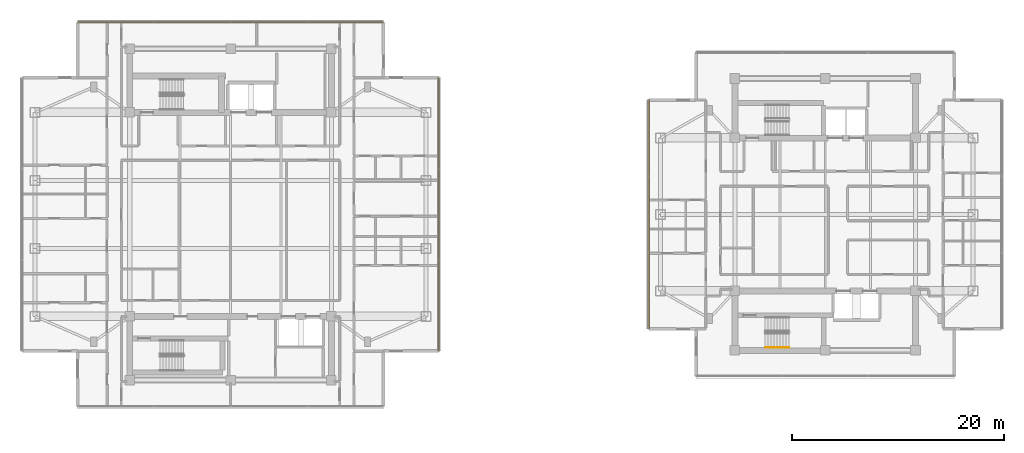
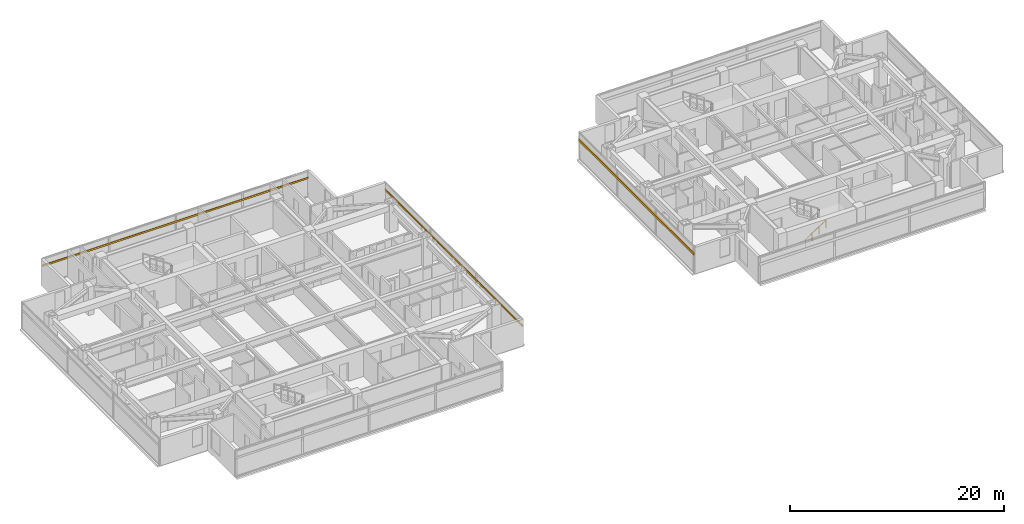
# One storey, part 22 of 24: 3 shading devices, 1 railing.
"""IFC4 building model written with IfcOpenShell, lengths in metres."""

from ifc_helpers import new_model, si_unit, direction, frame, origin, origin_2d, place, context, subcontext, project, spatial, rectangle, circle, extrude, material, material_profile, profile_set, type_object, element, save


model = new_model("IFC4")

# Units and contexts
model_context = context("Model", 3, precision=1e-05, world=origin(), true_north=direction((0.0, 1.0)))
body_context = subcontext(model_context, "Body", "Model", "MODEL_VIEW")
ifc_project = project(units=[si_unit("LENGTHUNIT", "METRE"), si_unit("AREAUNIT", "SQUARE_METRE"), si_unit("VOLUMEUNIT", "CUBIC_METRE"), si_unit("PLANEANGLEUNIT", "RADIAN"), si_unit("MASSUNIT", "GRAM", prefix="KILO")], contexts=[model_context])

# Site, building, storey
site_placement = place(None, origin())
site = spatial("IfcSite", under=ifc_project, at=site_placement, CompositionType="ELEMENT")
building_placement = place(site_placement, origin())
building = spatial("IfcBuilding", under=site, at=building_placement, Name="Mirazonda Arch Towers", CompositionType="ELEMENT")
storey_placement = place(building_placement, frame((0.0, 0.0, 186.89990234375)))
storey = spatial("IfcBuildingStorey", under=building, at=storey_placement, Name="L53", CompositionType="ELEMENT", Elevation=186.89990234375)

# Shading devices
ifc_material_1 = material(Name="Kiln-Fired Architectural Terracotta", Category="masonry")
ifc_material_profile_1 = material_profile(ifc_material_1, rectangle(XDim=0.10009765625, YDim=0.199951171875, at=origin_2d()), Name="TERRA-BAG-100x200")
ifc_profile_set_1 = profile_set([ifc_material_profile_1], Name="Kiln-Fired Architectural Terracotta")
shading_device_type_1 = type_object("IfcShadingDeviceType", Name="BAGUETTE-2", PredefinedType="USERDEFINED", material=ifc_profile_set_1)
shading_device_1_placement = place(storey_placement, frame((40.110107421875, 15.126953125, 2.181640625), z_axis=(0.0, 1.0, 0.0), x_axis=(-1.0, 0.0, 0.0)))
element("IfcShadingDevice", 1, at=shading_device_1_placement, inside=storey, type_object=shading_device_type_1, Name="L53 Glazed Terracotta Sun-Screen Baguette CW-L53-T1-E", ObjectType="BAGUETTE", PredefinedType="USERDEFINED", context=body_context, shape_type="SweptSolid", body=[
    extrude(rectangle(XDim=0.10009765625, YDim=0.199951171875, at=origin_2d()), origin(), (0.0, 0.0, 1.0), 25.74609375),
])
shading_device_2_placement = place(storey_placement, frame((6.10498046875, 46.087890625, 2.181640625), z_axis=(1.0, 0.0, 0.0), x_axis=(0.0, 1.0, 0.0)))
element("IfcShadingDevice", 2, at=shading_device_2_placement, inside=storey, type_object=shading_device_type_1, Name="L53 Glazed Terracotta Sun-Screen Baguette CW-L53-T1-N", ObjectType="BAGUETTE", PredefinedType="USERDEFINED", context=body_context, shape_type="SweptSolid", body=[
    extrude(rectangle(XDim=0.10009765625, YDim=0.199951171875, at=origin_2d()), origin(), (0.0, 0.0, 1.0), 28.7900390625),
])
ifc_material_profile_2 = material_profile(ifc_material_1, rectangle(XDim=0.139892578125, YDim=0.280029296875, at=origin_2d()), Name="TERRA-BAG-140x280")
ifc_profile_set_2 = profile_set([ifc_material_profile_2], Name="Kiln-Fired Architectural Terracotta")
shading_device_type_2 = type_object("IfcShadingDeviceType", Name="BAGUETTE-3", PredefinedType="USERDEFINED", material=ifc_profile_set_2)
shading_device_3_placement = place(storey_placement, frame((59.884521484375, 38.781982421875, 2.181640625), z_axis=(0.0, -1.0, 0.0), x_axis=(1.0, 0.0, 0.0)))
element("IfcShadingDevice", 3, at=shading_device_3_placement, inside=storey, type_object=shading_device_type_2, Name="L53 Glazed Terracotta Sun-Screen Baguette CW-L53-T2-W", ObjectType="BAGUETTE", PredefinedType="USERDEFINED", context=body_context, shape_type="SweptSolid", body=[
    extrude(rectangle(XDim=0.139892578125, YDim=0.280029296875, at=origin_2d()), origin(), (0.0, 0.0, 1.0), 21.56396484375),
])

# Railing
ifc_material_2 = material(Name="Architectural Brushed Steel S355", Category="steel")
railing_type = type_object("IfcRailingType", Name="HANDRAIL-915", PredefinedType="HANDRAIL", material=ifc_material_2)
railing_placement = place(storey_placement, frame((70.85009765625, 15.469970703125, 0.1806640625)))
element("IfcRailing", 4, at=railing_placement, inside=storey, type_object=railing_type, Name="L53 ST-T2S stair handrail 1", PredefinedType="HANDRAIL", context=body_context, shape_type="SweptSolid", body=[
    extrude(circle(Radius=0.02392578125, at=origin_2d()), frame((0.0, 0.0, 0.8759765625), z_axis=(0.840436612492, 0.0, 0.541909863706), x_axis=(0.0, 1.0, 0.0)), (0.0, 0.0, 1.0), 2.665283203125),
    extrude(circle(Radius=0.02099609375, at=origin_2d()), origin(), (0.0, 0.0, 1.0), 0.851806640625),
    extrude(circle(Radius=0.02099609375, at=origin_2d()), frame((0.74658203125, 0.0, 0.4814453125)), (0.0, 0.0, 1.0), 0.851806640625),
    extrude(circle(Radius=0.02099609375, at=origin_2d()), frame((1.493408203125, 0.0, 0.962890625)), (0.0, 0.0, 1.0), 0.851806640625),
    extrude(circle(Radius=0.02099609375, at=origin_2d()), frame((2.239990234375, 0.0, 1.4443359375)), (0.0, 0.0, 1.0), 0.851806640625),
])

save(model, "model.ifc")
